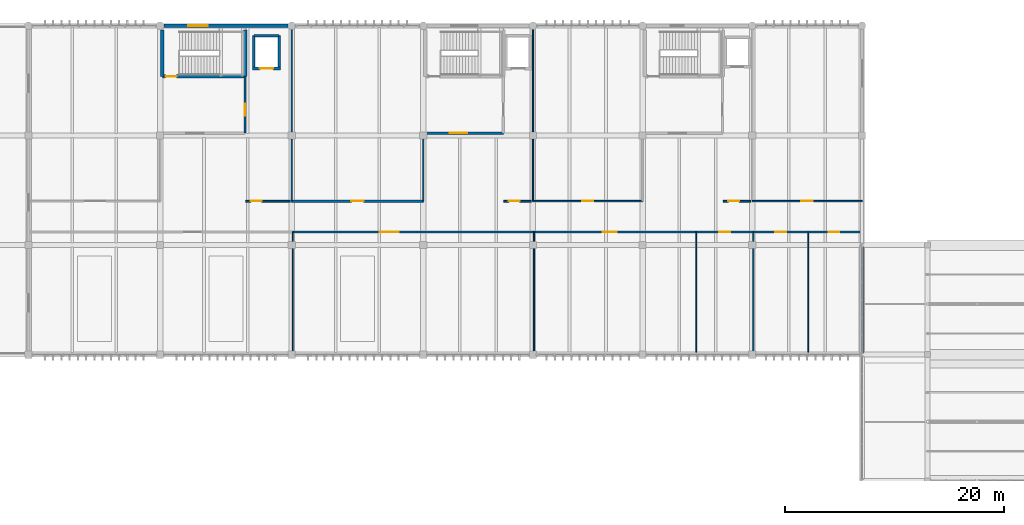
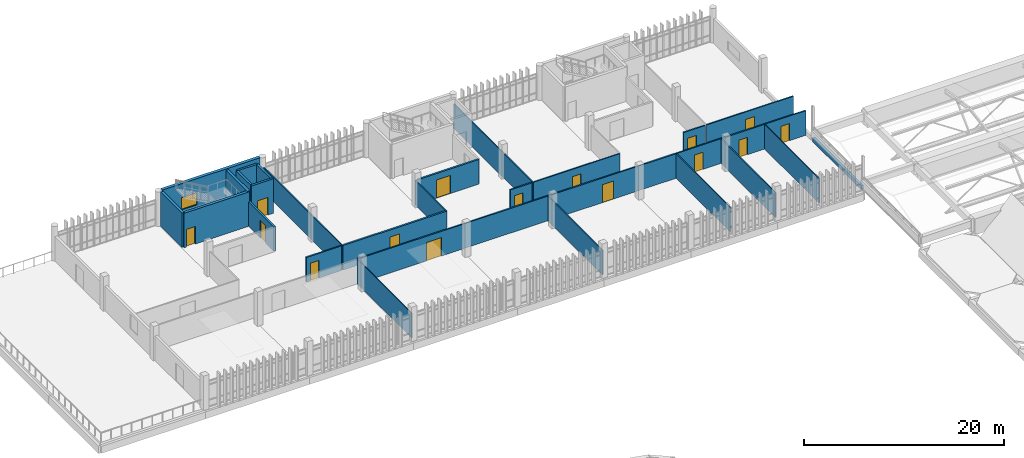
# One storey, part 78 of 82: 30 walls, 15 doors, 1 window, 16 openings.
"""IFC4 building model written with IfcOpenShell, lengths in metres."""

from ifc_helpers import new_model, si_unit, direction, frame, frame_2d, origin, place, context, subcontext, project, spatial, rectangle, extrude, material, layer, layer_set, type_object, element, fill, save


model = new_model("IFC4")

# Units and contexts
model_context = context("Model", 3, precision=1e-05, world=origin(), true_north=direction((0.0, 1.0)))
body_context = subcontext(model_context, "Body", "Model", "MODEL_VIEW")
ifc_project = project(units=[si_unit("LENGTHUNIT", "METRE"), si_unit("AREAUNIT", "SQUARE_METRE"), si_unit("VOLUMEUNIT", "CUBIC_METRE"), si_unit("PLANEANGLEUNIT", "RADIAN"), si_unit("MASSUNIT", "GRAM", prefix="KILO")], contexts=[model_context])

# Site, building, storey
site_placement = place(None, origin())
site = spatial("IfcSite", under=ifc_project, at=site_placement, CompositionType="ELEMENT")
building_placement = place(site_placement, origin())
building = spatial("IfcBuilding", under=site, at=building_placement, Name="Mersad Railyard Sports Hall", CompositionType="ELEMENT")
storey_placement = place(building_placement, frame((0.0, 0.0, 13.199951171875)))
storey = spatial("IfcBuildingStorey", under=building, at=storey_placement, Name="L03", CompositionType="ELEMENT", Elevation=13.199951171875)

# Wall, opening, window
ifc_material_1 = material(Name="Architectural concrete C50/60", Category="concrete")
ifc_layer_1 = layer(ifc_material_1, 0.35009765625)
ifc_layer_set_1 = layer_set([ifc_layer_1], Name="Architectural concrete C50/60")
wall_type_1 = type_object("IfcWallType", Name="ARC-WL-EW02", PredefinedType="SOLIDWALL", material=ifc_layer_set_1)
wall_1_placement = place(storey_placement, frame((67.35009765625, 115.0, 0.0), z_axis=(0.0, 0.0, 1.0), x_axis=(1.0, 0.0, 0.0)))
wall_1 = element("IfcWall", 1, at=wall_1_placement, inside=storey, type_object=wall_type_1, Name="External wall EW02-0129", PredefinedType="SOLIDWALL", context=body_context, shape_type="SweptSolid", body=[
    extrude(rectangle(XDim=11.2998046875, YDim=0.35009765625, at=frame_2d((5.64990234375, 0.0))), origin(), (0.0, 0.0, 1.0), 4.199951171875),
])
opening_1_placement = place(wall_1_placement, frame((2.199951171875, 0.0, 1.0)))
opening_1 = element("IfcOpeningElement", 2, at=opening_1_placement, cuts=wall_1, Name="Opening W05", PredefinedType="OPENING", context=body_context, shape_type="SweptSolid", body=[
    extrude(rectangle(XDim=1.800048828125, YDim=1.5, at=frame_2d((0.89990234375, 0.75))), frame((0.0, 0.18505859375, 0.0), z_axis=(0.0, -1.0, 0.0), x_axis=(1.0, 0.0, 0.0)), (0.0, 0.0, 1.0), 0.3701171875),
])
ifc_material_2 = material(Name="Solar-control glass", Category="glass")
window_type = type_object("IfcWindowType", Name="ARC-WN-W05", PartitioningType="DOUBLE_PANEL_VERTICAL", PredefinedType="WINDOW", material=ifc_material_2)
window_placement = place(opening_1_placement, origin())
window = element("IfcWindow", 3, at=window_placement, inside=storey, type_object=window_type, Name="Window W05-0044", OverallHeight=1.5, OverallWidth=1.800048828125, PartitioningType="DOUBLE_PANEL_VERTICAL", PredefinedType="WINDOW", context=body_context, shape_type="SweptSolid", body=[
    extrude(rectangle(XDim=1.800048828125, YDim=1.5, at=frame_2d((0.89990234375, 0.75))), frame((0.0, 0.030029296875, 0.0), z_axis=(0.0, -1.0, 0.0), x_axis=(1.0, 0.0, 0.0)), (0.0, 0.0, 1.0), 0.06005859375),
])
fill(opening_1, window)

# Wall
ifc_material_3 = material(Name="Precast concrete C45/55", Category="concrete")
ifc_layer_2 = layer(ifc_material_3, 0.280029296875)
ifc_layer_set_2 = layer_set([ifc_layer_2], Name="Precast concrete C45/55")
wall_type_2 = type_object("IfcWallType", Name="ARC-WL-EW03", PredefinedType="SOLIDWALL", material=ifc_layer_set_2)
wall_2_placement = place(storey_placement, frame((131.0, 94.85009765625, 0.0), z_axis=(0.0, 0.0, 1.0), x_axis=(0.0, -1.0, 0.0)))
element("IfcWall", 4, at=wall_2_placement, inside=storey, type_object=wall_type_2, Name="External wall EW03-0135", PredefinedType="SOLIDWALL", context=body_context, shape_type="SweptSolid", body=[
    extrude(rectangle(XDim=9.7001953125, YDim=0.280029296875, at=frame_2d((4.85009765625, 0.0))), origin(), (0.0, 0.0, 1.0), 0.47509765625),
])

# Wall, opening, door
ifc_layer_3 = layer(ifc_material_3, 0.199951171875)
ifc_layer_set_3 = layer_set([ifc_layer_3], Name="Precast concrete C45/55")
wall_type_3 = type_object("IfcWallType", Name="ARC-WL-PT01", PredefinedType="PARTITIONING", material=ifc_layer_set_3)
wall_3_placement = place(storey_placement, frame((74.75, 105.199951171875, 0.0), z_axis=(0.0, 0.0, 1.0), x_axis=(0.0, 1.0, 0.0)))
wall_3 = element("IfcWall", 5, at=wall_3_placement, inside=storey, type_object=wall_type_3, Name="Interior wall PT01-0179", PredefinedType="PARTITIONING", context=body_context, shape_type="SweptSolid", body=[
    extrude(rectangle(XDim=5.179931640625, YDim=0.199951171875, at=frame_2d((2.58984375, 0.0))), origin(), (0.0, 0.0, 1.0), 3.005126953125),
])
opening_2_placement = place(wall_3_placement, frame((1.60009765625, 0.0, 0.0)))
opening_2 = element("IfcOpeningElement", 6, at=opening_2_placement, cuts=wall_3, Name="Opening FD01", PredefinedType="OPENING", context=body_context, shape_type="SweptSolid", body=[
    extrude(rectangle(XDim=1.10009765625, YDim=2.14990234375, at=frame_2d((0.550048828125, 1.074951171875))), frame((0.0, 0.10986328125, 0.0), z_axis=(0.0, -1.0, 0.0), x_axis=(1.0, 0.0, 0.0)), (0.0, 0.0, 1.0), 0.219970703125),
])
ifc_material_4 = material(Name="Steel S355", Category="steel")
door_type_1 = type_object("IfcDoorType", Name="ARC-DR-FD01", OperationType="NOTDEFINED", PredefinedType="DOOR", material=ifc_material_4)
door_1_placement = place(opening_2_placement, origin())
door_1 = element("IfcDoor", 7, at=door_1_placement, inside=storey, type_object=door_type_1, Name="C1 lift-to-firefighting lobby door FD01-0059", OperationType="SINGLE_SWING_RIGHT", OverallHeight=2.14990234375, OverallWidth=1.10009765625, PredefinedType="DOOR", context=body_context, shape_type="SweptSolid", body=[
    extrude(rectangle(XDim=1.10009765625, YDim=2.14990234375, at=frame_2d((0.550048828125, 1.074951171875))), frame((0.0, 0.02490234375, 0.0), z_axis=(0.0, -1.0, 0.0), x_axis=(1.0, 0.0, 0.0)), (0.0, 0.0, 1.0), 0.050048828125),
])
fill(opening_2, door_1)

wall_4_placement = place(storey_placement, frame((91.199951171875, 105.199951171875, 0.0), z_axis=(0.0, 0.0, 1.0), x_axis=(1.0, 0.0, 0.0)))
wall_4 = element("IfcWall", 8, at=wall_4_placement, inside=storey, type_object=wall_type_3, Name="Interior wall PT01-0220", PredefinedType="PARTITIONING", context=body_context, shape_type="SweptSolid", body=[
    extrude(rectangle(XDim=7.10009765625, YDim=0.199951171875, at=frame_2d((3.550048828125, 0.0))), origin(), (0.0, 0.0, 1.0), 3.005126953125),
])
opening_3_placement = place(wall_4_placement, frame((2.199951171875, 0.0, 0.0)))
opening_3 = element("IfcOpeningElement", 9, at=opening_3_placement, cuts=wall_4, Name="Opening FD04", PredefinedType="OPENING", context=body_context, shape_type="SweptSolid", body=[
    extrude(rectangle(XDim=1.60009765625, YDim=2.199951171875, at=frame_2d((0.800048828125, 1.10009765625))), frame((0.0, 0.10986328125, 0.0), z_axis=(0.0, -1.0, 0.0), x_axis=(1.0, 0.0, 0.0)), (0.0, 0.0, 1.0), 0.219970703125),
])
door_type_2 = type_object("IfcDoorType", Name="ARC-DR-FD04", OperationType="NOTDEFINED", PredefinedType="DOOR", material=ifc_material_4)
door_2_placement = place(opening_3_placement, origin())
door_2 = element("IfcDoor", 10, at=door_2_placement, inside=storey, type_object=door_type_2, Name="C2 firefighting lobby door FD04-0086", OperationType="DOUBLE_DOOR_SINGLE_SWING", OverallHeight=2.199951171875, OverallWidth=1.60009765625, PredefinedType="DOOR", context=body_context, shape_type="SweptSolid", body=[
    extrude(rectangle(XDim=1.60009765625, YDim=2.199951171875, at=frame_2d((0.800048828125, 1.10009765625))), frame((0.0, 0.02490234375, 0.0), z_axis=(0.0, -1.0, 0.0), x_axis=(1.0, 0.0, 0.0)), (0.0, 0.0, 1.0), 0.050048828125),
])
fill(opening_3, door_2)

wall_5_placement = place(storey_placement, frame((79.0, 99.0, 0.0), z_axis=(0.0, 0.0, 1.0), x_axis=(1.0, 0.0, 0.0)))
wall_5 = element("IfcWall", 11, at=wall_5_placement, inside=storey, type_object=wall_type_3, Name="Interior wall PT01-0490", PredefinedType="PARTITIONING", context=body_context, shape_type="SweptSolid", body=[
    extrude(rectangle(XDim=12.0, YDim=0.199951171875, at=frame_2d((6.0, 0.0))), origin(), (0.0, 0.0, 1.0), 3.005126953125),
])
opening_4_placement = place(wall_5_placement, frame((5.449951171875, 0.0, 0.0)))
opening_4 = element("IfcOpeningElement", 12, at=opening_4_placement, cuts=wall_5, Name="Opening FD01", PredefinedType="OPENING", context=body_context, shape_type="SweptSolid", body=[
    extrude(rectangle(XDim=1.10009765625, YDim=2.14990234375, at=frame_2d((0.550048828125, 1.074951171875))), frame((0.0, 0.10986328125, 0.0), z_axis=(0.0, -1.0, 0.0), x_axis=(1.0, 0.0, 0.0)), (0.0, 0.0, 1.0), 0.219970703125),
])
door_3_placement = place(opening_4_placement, origin())
door_3 = element("IfcDoor", 13, at=door_3_placement, inside=storey, type_object=door_type_1, Name="L03 north room door FD01-0221", OperationType="SINGLE_SWING_RIGHT", OverallHeight=2.14990234375, OverallWidth=1.10009765625, PredefinedType="DOOR", context=body_context, shape_type="SweptSolid", body=[
    extrude(rectangle(XDim=1.10009765625, YDim=2.14990234375, at=frame_2d((0.550048828125, 1.074951171875))), frame((0.0, 0.02490234375, 0.0), z_axis=(0.0, -1.0, 0.0), x_axis=(1.0, 0.0, 0.0)), (0.0, 0.0, 1.0), 0.050048828125),
])
fill(opening_4, door_3)

ifc_material_5 = material(Name="Gypsum plasterboard", Category="gypsum")
ifc_layer_4 = layer(ifc_material_5, 0.159912109375)
ifc_layer_set_4 = layer_set([ifc_layer_4], Name="Gypsum plasterboard")
wall_type_4 = type_object("IfcWallType", Name="ARC-WL-PT02", PredefinedType="PARTITIONING", material=ifc_layer_set_4)
wall_6_placement = place(storey_placement, frame((74.800048828125, 99.0, 0.0), z_axis=(0.0, 0.0, 1.0), x_axis=(1.0, 0.0, 0.0)))
wall_6 = element("IfcWall", 14, at=wall_6_placement, inside=storey, type_object=wall_type_4, Name="Interior wall PT02-0180", PredefinedType="PARTITIONING", context=body_context, shape_type="SweptSolid", body=[
    extrude(rectangle(XDim=4.050048828125, YDim=0.159912109375, at=frame_2d((2.02490234375, 0.0))), origin(), (0.0, 0.0, 1.0), 3.005126953125),
])
opening_5_placement = place(wall_6_placement, frame((0.449951171875, 0.0, 0.0)))
opening_5 = element("IfcOpeningElement", 15, at=opening_5_placement, cuts=wall_6, Name="Opening FD02", PredefinedType="OPENING", context=body_context, shape_type="SweptSolid", body=[
    extrude(rectangle(XDim=1.0, YDim=2.14990234375, at=frame_2d((0.5, 1.074951171875))), frame((0.0, 0.08984375, 0.0), z_axis=(0.0, -1.0, 0.0), x_axis=(1.0, 0.0, 0.0)), (0.0, 0.0, 1.0), 0.179931640625),
])
door_type_3 = type_object("IfcDoorType", Name="ARC-DR-FD02", OperationType="NOTDEFINED", PredefinedType="DOOR", material=ifc_material_4)
door_4_placement = place(opening_5_placement, origin())
door_4 = element("IfcDoor", 16, at=door_4_placement, inside=storey, type_object=door_type_3, Name="C1 lift lobby corridor door FD02-0060", OperationType="SINGLE_SWING_LEFT", OverallHeight=2.14990234375, OverallWidth=1.0, PredefinedType="DOOR", context=body_context, shape_type="SweptSolid", body=[
    extrude(rectangle(XDim=1.0, YDim=2.14990234375, at=frame_2d((0.5, 1.074951171875))), frame((0.0, 0.02490234375, 0.0), z_axis=(0.0, -1.0, 0.0), x_axis=(1.0, 0.0, 0.0)), (0.0, 0.0, 1.0), 0.050048828125),
])
fill(opening_5, door_4)

wall_7_placement = place(storey_placement, frame((98.35009765625, 99.0, 0.0), z_axis=(0.0, 0.0, 1.0), x_axis=(1.0, 0.0, 0.0)))
wall_7 = element("IfcWall", 17, at=wall_7_placement, inside=storey, type_object=wall_type_4, Name="Interior wall PT02-0222", PredefinedType="PARTITIONING", context=body_context, shape_type="SweptSolid", body=[
    extrude(rectangle(XDim=2.5, YDim=0.159912109375, at=frame_2d((1.25, 0.0))), origin(), (0.0, 0.0, 1.0), 3.005126953125),
])
opening_6_placement = place(wall_7_placement, frame((0.449951171875, 0.0, 0.0)))
opening_6 = element("IfcOpeningElement", 18, at=opening_6_placement, cuts=wall_7, Name="Opening FD02", PredefinedType="OPENING", context=body_context, shape_type="SweptSolid", body=[
    extrude(rectangle(XDim=1.0, YDim=2.14990234375, at=frame_2d((0.5, 1.074951171875))), frame((0.0, 0.08984375, 0.0), z_axis=(0.0, -1.0, 0.0), x_axis=(1.0, 0.0, 0.0)), (0.0, 0.0, 1.0), 0.179931640625),
])
door_5_placement = place(opening_6_placement, origin())
door_5 = element("IfcDoor", 19, at=door_5_placement, inside=storey, type_object=door_type_3, Name="C2 lift lobby corridor door FD02-0088", OperationType="SINGLE_SWING_RIGHT", OverallHeight=2.14990234375, OverallWidth=1.0, PredefinedType="DOOR", context=body_context, shape_type="SweptSolid", body=[
    extrude(rectangle(XDim=1.0, YDim=2.14990234375, at=frame_2d((0.5, 1.074951171875))), frame((0.0, 0.02490234375, 0.0), z_axis=(0.0, -1.0, 0.0), x_axis=(1.0, 0.0, 0.0)), (0.0, 0.0, 1.0), 0.050048828125),
])
fill(opening_6, door_5)

wall_8_placement = place(storey_placement, frame((118.35009765625, 99.0, 0.0), z_axis=(0.0, 0.0, 1.0), x_axis=(1.0, 0.0, 0.0)))
wall_8 = element("IfcWall", 20, at=wall_8_placement, inside=storey, type_object=wall_type_4, Name="Interior wall PT02-0264", PredefinedType="PARTITIONING", context=body_context, shape_type="SweptSolid", body=[
    extrude(rectangle(XDim=2.5, YDim=0.159912109375, at=frame_2d((1.25, 0.0))), origin(), (0.0, 0.0, 1.0), 3.005126953125),
])
opening_7_placement = place(wall_8_placement, frame((0.449951171875, 0.0, 0.0)))
opening_7 = element("IfcOpeningElement", 21, at=opening_7_placement, cuts=wall_8, Name="Opening FD02", PredefinedType="OPENING", context=body_context, shape_type="SweptSolid", body=[
    extrude(rectangle(XDim=1.0, YDim=2.14990234375, at=frame_2d((0.5, 1.074951171875))), frame((0.0, 0.08984375, 0.0), z_axis=(0.0, -1.0, 0.0), x_axis=(1.0, 0.0, 0.0)), (0.0, 0.0, 1.0), 0.179931640625),
])
door_6_placement = place(opening_7_placement, origin())
door_6 = element("IfcDoor", 22, at=door_6_placement, inside=storey, type_object=door_type_3, Name="C3 lift lobby corridor door FD02-0116", OperationType="SINGLE_SWING_LEFT", OverallHeight=2.14990234375, OverallWidth=1.0, PredefinedType="DOOR", context=body_context, shape_type="SweptSolid", body=[
    extrude(rectangle(XDim=1.0, YDim=2.14990234375, at=frame_2d((0.5, 1.074951171875))), frame((0.0, 0.02490234375, 0.0), z_axis=(0.0, -1.0, 0.0), x_axis=(1.0, 0.0, 0.0)), (0.0, 0.0, 1.0), 0.050048828125),
])
fill(opening_7, door_6)

wall_9_placement = place(storey_placement, frame((79.10009765625, 96.199951171875, 0.0), z_axis=(0.0, 0.0, 1.0), x_axis=(1.0, 0.0, 0.0)))
wall_9 = element("IfcWall", 23, at=wall_9_placement, inside=storey, type_object=wall_type_4, Name="Interior wall PT02-0478", PredefinedType="PARTITIONING", context=body_context, shape_type="SweptSolid", body=[
    extrude(rectangle(XDim=22.0, YDim=0.159912109375, at=frame_2d((11.0, 0.0))), origin(), (0.0, 0.0, 1.0), 3.005126953125),
])
opening_8_placement = place(wall_9_placement, frame((7.949951171875, 0.0, 0.0)))
opening_8 = element("IfcOpeningElement", 24, at=opening_8_placement, cuts=wall_9, Name="Opening FD11", PredefinedType="OPENING", context=body_context, shape_type="SweptSolid", body=[
    extrude(rectangle(XDim=1.699951171875, YDim=2.25, at=frame_2d((0.85009765625, 1.125))), frame((0.0, 0.08984375, 0.0), z_axis=(0.0, -1.0, 0.0), x_axis=(1.0, 0.0, 0.0)), (0.0, 0.0, 1.0), 0.179931640625),
])
door_type_4 = type_object("IfcDoorType", Name="ARC-DR-FD11", OperationType="NOTDEFINED", PredefinedType="DOOR", material=ifc_material_4)
door_7_placement = place(opening_8_placement, origin())
door_7 = element("IfcDoor", 25, at=door_7_placement, inside=storey, type_object=door_type_4, Name="L03 south room door FD11-0215", OperationType="DOUBLE_DOOR_SINGLE_SWING", OverallHeight=2.25, OverallWidth=1.699951171875, PredefinedType="DOOR", context=body_context, shape_type="SweptSolid", body=[
    extrude(rectangle(XDim=1.699951171875, YDim=2.25, at=frame_2d((0.85009765625, 1.125))), frame((0.0, 0.02490234375, 0.0), z_axis=(0.0, -1.0, 0.0), x_axis=(1.0, 0.0, 0.0)), (0.0, 0.0, 1.0), 0.050048828125),
])
fill(opening_8, door_7)

wall_10_placement = place(storey_placement, frame((101.10009765625, 96.199951171875, 0.0), z_axis=(0.0, 0.0, 1.0), x_axis=(1.0, 0.0, 0.0)))
wall_10 = element("IfcWall", 26, at=wall_10_placement, inside=storey, type_object=wall_type_4, Name="Interior wall PT02-0480", PredefinedType="PARTITIONING", context=body_context, shape_type="SweptSolid", body=[
    extrude(rectangle(XDim=14.7998046875, YDim=0.159912109375, at=frame_2d((7.39990234375, 0.0))), origin(), (0.0, 0.0, 1.0), 3.005126953125),
])
opening_9_placement = place(wall_10_placement, frame((6.25, 0.0, 0.0)))
opening_9 = element("IfcOpeningElement", 27, at=opening_9_placement, cuts=wall_10, Name="Opening FD03", PredefinedType="OPENING", context=body_context, shape_type="SweptSolid", body=[
    extrude(rectangle(XDim=1.300048828125, YDim=2.199951171875, at=frame_2d((0.64990234375, 1.10009765625))), frame((0.0, 0.08984375, 0.0), z_axis=(0.0, -1.0, 0.0), x_axis=(1.0, 0.0, 0.0)), (0.0, 0.0, 1.0), 0.179931640625),
])
door_type_5 = type_object("IfcDoorType", Name="ARC-DR-FD03", OperationType="NOTDEFINED", PredefinedType="DOOR", material=ifc_material_4)
door_8_placement = place(opening_9_placement, origin())
door_8 = element("IfcDoor", 28, at=door_8_placement, inside=storey, type_object=door_type_5, Name="L03 south room door FD03-0216", OperationType="SINGLE_SWING_RIGHT", OverallHeight=2.199951171875, OverallWidth=1.300048828125, PredefinedType="DOOR", context=body_context, shape_type="SweptSolid", body=[
    extrude(rectangle(XDim=1.300048828125, YDim=2.199951171875, at=frame_2d((0.64990234375, 1.10009765625))), frame((0.0, 0.02490234375, 0.0), z_axis=(0.0, -1.0, 0.0), x_axis=(1.0, 0.0, 0.0)), (0.0, 0.0, 1.0), 0.050048828125),
])
fill(opening_9, door_8)

wall_11_placement = place(storey_placement, frame((115.89990234375, 96.199951171875, 0.0), z_axis=(0.0, 0.0, 1.0), x_axis=(1.0, 0.0, 0.0)))
wall_11 = element("IfcWall", 29, at=wall_11_placement, inside=storey, type_object=wall_type_4, Name="Interior wall PT02-0482", PredefinedType="PARTITIONING", context=body_context, shape_type="SweptSolid", body=[
    extrude(rectangle(XDim=5.2001953125, YDim=0.159912109375, at=frame_2d((2.60009765625, 0.0))), origin(), (0.0, 0.0, 1.0), 3.005126953125),
])
opening_10_placement = place(wall_11_placement, frame((2.10009765625, 0.0, 0.0)))
opening_10 = element("IfcOpeningElement", 30, at=opening_10_placement, cuts=wall_11, Name="Opening FD06", PredefinedType="OPENING", context=body_context, shape_type="SweptSolid", body=[
    extrude(rectangle(XDim=0.97998046875, YDim=2.10009765625, at=frame_2d((0.489990234375, 1.050048828125))), frame((0.0, 0.08984375, 0.0), z_axis=(0.0, -1.0, 0.0), x_axis=(1.0, 0.0, 0.0)), (0.0, 0.0, 1.0), 0.179931640625),
])
door_type_6 = type_object("IfcDoorType", Name="ARC-DR-FD06", OperationType="NOTDEFINED", PredefinedType="DOOR", material=ifc_material_4)
door_9_placement = place(opening_10_placement, origin())
door_9 = element("IfcDoor", 31, at=door_9_placement, inside=storey, type_object=door_type_6, Name="L03 south room door FD06-0217", OperationType="SINGLE_SWING_LEFT", OverallHeight=2.10009765625, OverallWidth=0.97998046875, PredefinedType="DOOR", context=body_context, shape_type="SweptSolid", body=[
    extrude(rectangle(XDim=0.97998046875, YDim=2.10009765625, at=frame_2d((0.489990234375, 1.050048828125))), frame((0.0, 0.02490234375, 0.0), z_axis=(0.0, -1.0, 0.0), x_axis=(1.0, 0.0, 0.0)), (0.0, 0.0, 1.0), 0.050048828125),
])
fill(opening_10, door_9)

wall_12_placement = place(storey_placement, frame((121.10009765625, 96.199951171875, 0.0), z_axis=(0.0, 0.0, 1.0), x_axis=(1.0, 0.0, 0.0)))
wall_12 = element("IfcWall", 32, at=wall_12_placement, inside=storey, type_object=wall_type_4, Name="Interior wall PT02-0484", PredefinedType="PARTITIONING", context=body_context, shape_type="SweptSolid", body=[
    extrude(rectangle(XDim=5.0, YDim=0.159912109375, at=frame_2d((2.5, 0.0))), origin(), (0.0, 0.0, 1.0), 3.005126953125),
])
opening_11_placement = place(wall_12_placement, frame((2.0, 0.0, 0.0)))
opening_11 = element("IfcOpeningElement", 33, at=opening_11_placement, cuts=wall_12, Name="Opening FD06", PredefinedType="OPENING", context=body_context, shape_type="SweptSolid", body=[
    extrude(rectangle(XDim=0.97998046875, YDim=2.10009765625, at=frame_2d((0.489990234375, 1.050048828125))), frame((0.0, 0.08984375, 0.0), z_axis=(0.0, -1.0, 0.0), x_axis=(1.0, 0.0, 0.0)), (0.0, 0.0, 1.0), 0.179931640625),
])
door_10_placement = place(opening_11_placement, origin())
door_10 = element("IfcDoor", 34, at=door_10_placement, inside=storey, type_object=door_type_6, Name="L03 south room door FD06-0218", OperationType="SINGLE_SWING_RIGHT", OverallHeight=2.10009765625, OverallWidth=0.97998046875, PredefinedType="DOOR", context=body_context, shape_type="SweptSolid", body=[
    extrude(rectangle(XDim=0.97998046875, YDim=2.10009765625, at=frame_2d((0.489990234375, 1.050048828125))), frame((0.0, 0.02490234375, 0.0), z_axis=(0.0, -1.0, 0.0), x_axis=(1.0, 0.0, 0.0)), (0.0, 0.0, 1.0), 0.050048828125),
])
fill(opening_11, door_10)

wall_13_placement = place(storey_placement, frame((126.10009765625, 96.199951171875, 0.0), z_axis=(0.0, 0.0, 1.0), x_axis=(1.0, 0.0, 0.0)))
wall_13 = element("IfcWall", 35, at=wall_13_placement, inside=storey, type_object=wall_type_4, Name="Interior wall PT02-0486", PredefinedType="PARTITIONING", context=body_context, shape_type="SweptSolid", body=[
    extrude(rectangle(XDim=4.719970703125, YDim=0.159912109375, at=frame_2d((2.35986328125, 0.0))), origin(), (0.0, 0.0, 1.0), 3.005126953125),
])
opening_12_placement = place(wall_13_placement, frame((1.860107421875, 0.0, 0.0)))
opening_12 = element("IfcOpeningElement", 36, at=opening_12_placement, cuts=wall_13, Name="Opening FD06", PredefinedType="OPENING", context=body_context, shape_type="SweptSolid", body=[
    extrude(rectangle(XDim=0.97998046875, YDim=2.10009765625, at=frame_2d((0.489990234375, 1.050048828125))), frame((0.0, 0.08984375, 0.0), z_axis=(0.0, -1.0, 0.0), x_axis=(1.0, 0.0, 0.0)), (0.0, 0.0, 1.0), 0.179931640625),
])
door_11_placement = place(opening_12_placement, origin())
door_11 = element("IfcDoor", 37, at=door_11_placement, inside=storey, type_object=door_type_6, Name="L03 south room door FD06-0219", OperationType="SINGLE_SWING_LEFT", OverallHeight=2.10009765625, OverallWidth=0.97998046875, PredefinedType="DOOR", context=body_context, shape_type="SweptSolid", body=[
    extrude(rectangle(XDim=0.97998046875, YDim=2.10009765625, at=frame_2d((0.489990234375, 1.050048828125))), frame((0.0, 0.02490234375, 0.0), z_axis=(0.0, -1.0, 0.0), x_axis=(1.0, 0.0, 0.0)), (0.0, 0.0, 1.0), 0.050048828125),
])
fill(opening_12, door_11)

ifc_layer_5 = layer(ifc_material_5, 0.139892578125)
ifc_layer_set_5 = layer_set([ifc_layer_5], Name="Gypsum plasterboard")
wall_type_5 = type_object("IfcWallType", Name="ARC-WL-PT03", PredefinedType="PARTITIONING", material=ifc_layer_set_5)
wall_14_placement = place(storey_placement, frame((101.0, 99.0, 0.0), z_axis=(0.0, 0.0, 1.0), x_axis=(1.0, 0.0, 0.0)))
wall_14 = element("IfcWall", 38, at=wall_14_placement, inside=storey, type_object=wall_type_5, Name="Interior wall PT03-0493", PredefinedType="PARTITIONING", context=body_context, shape_type="SweptSolid", body=[
    extrude(rectangle(XDim=10.0, YDim=0.139892578125, at=frame_2d((5.0, 0.0))), origin(), (0.0, 0.0, 1.0), 3.005126953125),
])
opening_13_placement = place(wall_14_placement, frame((4.510009765625, 0.0, 0.0)))
opening_13 = element("IfcOpeningElement", 39, at=opening_13_placement, cuts=wall_14, Name="Opening FD06", PredefinedType="OPENING", context=body_context, shape_type="SweptSolid", body=[
    extrude(rectangle(XDim=0.97998046875, YDim=2.10009765625, at=frame_2d((0.489990234375, 1.050048828125))), frame((0.0, 0.079833984375, 0.0), z_axis=(0.0, -1.0, 0.0), x_axis=(1.0, 0.0, 0.0)), (0.0, 0.0, 1.0), 0.159912109375),
])
door_12_placement = place(opening_13_placement, origin())
door_12 = element("IfcDoor", 40, at=door_12_placement, inside=storey, type_object=door_type_6, Name="L03 north room door FD06-0222", OperationType="SINGLE_SWING_LEFT", OverallHeight=2.10009765625, OverallWidth=0.97998046875, PredefinedType="DOOR", context=body_context, shape_type="SweptSolid", body=[
    extrude(rectangle(XDim=0.97998046875, YDim=2.10009765625, at=frame_2d((0.489990234375, 1.050048828125))), frame((0.0, 0.02490234375, 0.0), z_axis=(0.0, -1.0, 0.0), x_axis=(1.0, 0.0, 0.0)), (0.0, 0.0, 1.0), 0.050048828125),
])
fill(opening_13, door_12)

wall_15_placement = place(storey_placement, frame((121.0, 99.0, 0.0), z_axis=(0.0, 0.0, 1.0), x_axis=(1.0, 0.0, 0.0)))
wall_15 = element("IfcWall", 41, at=wall_15_placement, inside=storey, type_object=wall_type_5, Name="Interior wall PT03-0496", PredefinedType="PARTITIONING", context=body_context, shape_type="SweptSolid", body=[
    extrude(rectangle(XDim=10.02001953125, YDim=0.139892578125, at=frame_2d((5.010009765625, 0.0))), origin(), (0.0, 0.0, 1.0), 3.005126953125),
])
opening_14_placement = place(wall_15_placement, frame((4.485107421875, 0.0, 0.0)))
opening_14 = element("IfcOpeningElement", 42, at=opening_14_placement, cuts=wall_15, Name="Opening FD07", PredefinedType="OPENING", context=body_context, shape_type="SweptSolid", body=[
    extrude(rectangle(XDim=1.050048828125, YDim=2.10009765625, at=frame_2d((0.52490234375, 1.050048828125))), frame((0.0, 0.079833984375, 0.0), z_axis=(0.0, -1.0, 0.0), x_axis=(1.0, 0.0, 0.0)), (0.0, 0.0, 1.0), 0.159912109375),
])
door_type_7 = type_object("IfcDoorType", Name="ARC-DR-FD07", OperationType="NOTDEFINED", PredefinedType="DOOR", material=ifc_material_4)
door_13_placement = place(opening_14_placement, origin())
door_13 = element("IfcDoor", 43, at=door_13_placement, inside=storey, type_object=door_type_7, Name="L03 north room door FD07-0223", OperationType="SINGLE_SWING_RIGHT", OverallHeight=2.10009765625, OverallWidth=1.050048828125, PredefinedType="DOOR", context=body_context, shape_type="SweptSolid", body=[
    extrude(rectangle(XDim=1.050048828125, YDim=2.10009765625, at=frame_2d((0.52490234375, 1.050048828125))), frame((0.0, 0.02490234375, 0.0), z_axis=(0.0, -1.0, 0.0), x_axis=(1.0, 0.0, 0.0)), (0.0, 0.0, 1.0), 0.050048828125),
])
fill(opening_14, door_13)

# Walls
ifc_layer_6 = layer(ifc_material_5, 0.1201171875)
ifc_layer_set_6 = layer_set([ifc_layer_6], Name="Gypsum plasterboard")
wall_type_6 = type_object("IfcWallType", Name="ARC-WL-PT04", PredefinedType="PARTITIONING", material=ifc_layer_set_6)
for number, where, z_axis, x_axis, name in (
    (44, (101.10009765625, 85.219970703125, 0.0), (0.0, 0.0, 1.0), (0.0, 1.0, 0.0), "Interior wall PT04-0481"),
    (45, (121.10009765625, 85.219970703125, 0.0), (0.0, 0.0, 1.0), (0.0, 1.0, 0.0), "Interior wall PT04-0485"),
):
    element("IfcWall", number, at=place(storey_placement, frame(where, z_axis=z_axis, x_axis=x_axis)), inside=storey, type_object=wall_type_6, Name=name, PredefinedType="PARTITIONING", context=body_context, shape_type="SweptSolid", body=[
        extrude(rectangle(XDim=10.97998046875, YDim=0.1201171875, at=frame_2d((5.489990234375, 0.0))), origin(), (0.0, 0.0, 1.0), 3.005126953125),
    ])
wall_16_placement = place(storey_placement, frame((79.0, 99.0, 0.0), z_axis=(0.0, 0.0, 1.0), x_axis=(0.0, 1.0, 0.0)))
element("IfcWall", 46, at=wall_16_placement, inside=storey, type_object=wall_type_6, Name="Interior wall PT04-0491", PredefinedType="PARTITIONING", context=body_context, shape_type="SweptSolid", body=[
    extrude(rectangle(XDim=15.75, YDim=0.1201171875, at=frame_2d((7.875, 0.0))), origin(), (0.0, 0.0, 1.0), 3.005126953125),
])
wall_17_placement = place(storey_placement, frame((91.0, 99.0, 0.0), z_axis=(0.0, 0.0, 1.0), x_axis=(0.0, 1.0, 0.0)))
element("IfcWall", 47, at=wall_17_placement, inside=storey, type_object=wall_type_6, Name="Interior wall PT04-0492", PredefinedType="PARTITIONING", context=body_context, shape_type="SweptSolid", body=[
    extrude(rectangle(XDim=6.199951171875, YDim=0.1201171875, at=frame_2d((3.10009765625, 0.0))), origin(), (0.0, 0.0, 1.0), 3.005126953125),
])
wall_18_placement = place(storey_placement, frame((101.0, 99.0, 0.0), z_axis=(0.0, 0.0, 1.0), x_axis=(0.0, 1.0, 0.0)))
element("IfcWall", 48, at=wall_18_placement, inside=storey, type_object=wall_type_6, Name="Interior wall PT04-0494", PredefinedType="PARTITIONING", context=body_context, shape_type="SweptSolid", body=[
    extrude(rectangle(XDim=15.75, YDim=0.1201171875, at=frame_2d((7.875, 0.0))), origin(), (0.0, 0.0, 1.0), 3.005126953125),
])
ifc_layer_7 = layer(ifc_material_5, 0.10009765625)
ifc_layer_set_7 = layer_set([ifc_layer_7], Name="Gypsum plasterboard")
wall_type_7 = type_object("IfcWallType", Name="ARC-WL-PT05", PredefinedType="PARTITIONING", material=ifc_layer_set_7)
for number, where, z_axis, x_axis, name in (
    (49, (79.10009765625, 85.219970703125, 0.0), (0.0, 0.0, 1.0), (0.0, 1.0, 0.0), "Interior wall PT05-0479"),
    (50, (115.89990234375, 85.219970703125, 0.0), (0.0, 0.0, 1.0), (0.0, 1.0, 0.0), "Interior wall PT05-0483"),
    (51, (126.10009765625, 85.219970703125, 0.0), (0.0, 0.0, 1.0), (0.0, 1.0, 0.0), "Interior wall PT05-0487"),
):
    element("IfcWall", number, at=place(storey_placement, frame(where, z_axis=z_axis, x_axis=x_axis)), inside=storey, type_object=wall_type_7, Name=name, PredefinedType="PARTITIONING", context=body_context, shape_type="SweptSolid", body=[
        extrude(rectangle(XDim=10.97998046875, YDim=0.10009765625, at=frame_2d((5.489990234375, 0.0))), origin(), (0.0, 0.0, 1.0), 3.005126953125),
    ])

# Wall, opening, door
ifc_material_6 = material(Name="Concrete C40/50", Category="concrete")
ifc_layer_8 = layer(ifc_material_6, 0.320068359375)
ifc_layer_set_8 = layer_set([ifc_layer_8], Name="Concrete C40/50")
wall_type_8 = type_object("IfcWallType", Name="STR-WL-SW02", PredefinedType="SHEAR", material=ifc_layer_set_8)
wall_19_placement = place(storey_placement, frame((67.199951171875, 110.3798828125, 0.0), z_axis=(0.0, 0.0, 1.0), x_axis=(1.0, 0.0, 0.0)))
wall_19 = element("IfcWall", 52, at=wall_19_placement, inside=storey, type_object=wall_type_8, Name="Interior wall SW02-0175", PredefinedType="SHEAR", context=body_context, shape_type="SweptSolid", body=[
    extrude(rectangle(XDim=7.550048828125, YDim=0.320068359375, at=frame_2d((3.77490234375, 0.0))), origin(), (0.0, 0.0, 1.0), 4.199951171875),
])
opening_15_placement = place(wall_19_placement, frame((0.300048828125, 0.0, 0.0)))
opening_15 = element("IfcOpeningElement", 53, at=opening_15_placement, cuts=wall_19, Name="Opening FD02", PredefinedType="OPENING", context=body_context, shape_type="SweptSolid", body=[
    extrude(rectangle(XDim=1.0, YDim=2.14990234375, at=frame_2d((0.5, 1.074951171875))), frame((0.0, 0.169921875, 0.0), z_axis=(0.0, -1.0, 0.0), x_axis=(1.0, 0.0, 0.0)), (0.0, 0.0, 1.0), 0.340087890625),
])
door_14_placement = place(opening_15_placement, origin())
door_14 = element("IfcDoor", 54, at=door_14_placement, inside=storey, type_object=door_type_3, Name="C1 stair entrance door FD02-0057", OperationType="SINGLE_SWING_LEFT", OverallHeight=2.14990234375, OverallWidth=1.0, PredefinedType="DOOR", context=body_context, shape_type="SweptSolid", body=[
    extrude(rectangle(XDim=1.0, YDim=2.14990234375, at=frame_2d((0.5, 1.074951171875))), frame((0.0, 0.02490234375, 0.0), z_axis=(0.0, -1.0, 0.0), x_axis=(1.0, 0.0, 0.0)), (0.0, 0.0, 1.0), 0.050048828125),
])
fill(opening_15, door_14)

# Walls
for number, where, z_axis, x_axis, name in (
    (55, (74.75, 110.3798828125, 0.0), (0.0, 0.0, 1.0), (0.0, 1.0, 0.0), "Interior wall SW02-0176"),
    (56, (67.199951171875, 114.6201171875, 0.0), (0.0, 0.0, 1.0), (0.0, -1.0, 0.0), "Interior wall SW02-0177"),
):
    element("IfcWall", number, at=place(storey_placement, frame(where, z_axis=z_axis, x_axis=x_axis)), inside=storey, type_object=wall_type_8, Name=name, PredefinedType="SHEAR", context=body_context, shape_type="SweptSolid", body=[
        extrude(rectangle(XDim=4.240234375, YDim=0.320068359375, at=frame_2d((2.1201171875, 0.0))), origin(), (0.0, 0.0, 1.0), 4.199951171875),
    ])
ifc_layer_9 = layer(ifc_material_6, 0.239990234375)
ifc_layer_set_9 = layer_set([ifc_layer_9], Name="Concrete C40/50")
wall_type_9 = type_object("IfcWallType", Name="STR-WL-SW03", PredefinedType="SHEAR", material=ifc_layer_set_9)
for number, where, z_axis, x_axis, name in (
    (57, (75.550048828125, 111.10009765625, 0.0), (0.0, 0.0, 1.0), (0.0, 1.0, 0.0), "Interior wall SW03-0016"),
    (58, (77.85009765625, 114.10009765625, 0.0), (0.0, 0.0, 1.0), (0.0, -1.0, 0.0), "Interior wall SW03-0017"),
):
    element("IfcWall", number, at=place(storey_placement, frame(where, z_axis=z_axis, x_axis=x_axis)), inside=storey, type_object=wall_type_9, Name=name, PredefinedType="SHEAR", context=body_context, shape_type="SweptSolid", body=[
        extrude(rectangle(XDim=3.0, YDim=0.239990234375, at=frame_2d((1.5, 0.0))), origin(), (0.0, 0.0, 1.0), 4.199951171875),
    ])
wall_20_placement = place(storey_placement, frame((75.550048828125, 114.10009765625, 0.0), z_axis=(0.0, 0.0, 1.0), x_axis=(1.0, 0.0, 0.0)))
element("IfcWall", 59, at=wall_20_placement, inside=storey, type_object=wall_type_9, Name="Interior wall SW03-0018", PredefinedType="SHEAR", context=body_context, shape_type="SweptSolid", body=[
    extrude(rectangle(XDim=2.300048828125, YDim=0.239990234375, at=frame_2d((1.14990234375, 0.0))), origin(), (0.0, 0.0, 1.0), 4.199951171875),
])

# Wall, opening, door
wall_21_placement = place(storey_placement, frame((77.969970703125, 111.10009765625, 0.0), z_axis=(0.0, 0.0, 1.0), x_axis=(-1.0, 0.0, 0.0)))
wall_21 = element("IfcWall", 60, at=wall_21_placement, inside=storey, type_object=wall_type_9, Name="Interior wall SW03-0019", PredefinedType="SHEAR", context=body_context, shape_type="SweptSolid", body=[
    extrude(rectangle(XDim=2.5400390625, YDim=0.239990234375, at=frame_2d((1.27001953125, 0.0))), origin(), (0.0, 0.0, 1.0), 4.199951171875),
])
opening_16_placement = place(wall_21_placement, frame((0.669921875, 0.0, 0.0)))
opening_16 = element("IfcOpeningElement", 61, at=opening_16_placement, cuts=wall_21, Name="Opening LD02", PredefinedType="OPENING", context=body_context, shape_type="SweptSolid", body=[
    extrude(rectangle(XDim=1.199951171875, YDim=2.14990234375, at=frame_2d((0.60009765625, 1.074951171875))), frame((0.0, 0.1298828125, 0.0), z_axis=(0.0, -1.0, 0.0), x_axis=(1.0, 0.0, 0.0)), (0.0, 0.0, 1.0), 0.260009765625),
])
door_type_8 = type_object("IfcDoorType", Name="ARC-DR-LD02", OperationType="NOTDEFINED", PredefinedType="USERDEFINED", material=ifc_material_4)
door_15_placement = place(opening_16_placement, origin())
door_15 = element("IfcDoor", 62, at=door_15_placement, inside=storey, type_object=door_type_8, Name="Lift FFL-01 landing door LD02-0005", ObjectType="LANDING DOOR", OperationType="DOUBLE_DOOR_SLIDING", OverallHeight=2.14990234375, OverallWidth=1.199951171875, PredefinedType="USERDEFINED", context=body_context, shape_type="SweptSolid", body=[
    extrude(rectangle(XDim=1.199951171875, YDim=2.14990234375, at=frame_2d((0.60009765625, 1.074951171875))), frame((0.0, 0.02490234375, 0.0), z_axis=(0.0, -1.0, 0.0), x_axis=(1.0, 0.0, 0.0)), (0.0, 0.0, 1.0), 0.050048828125),
])
fill(opening_16, door_15)

save(model, "model.ifc")
